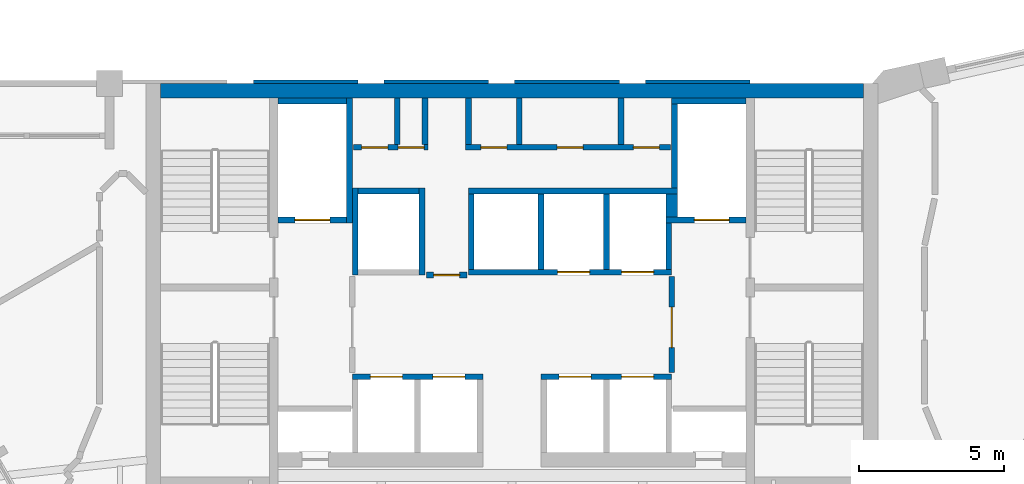
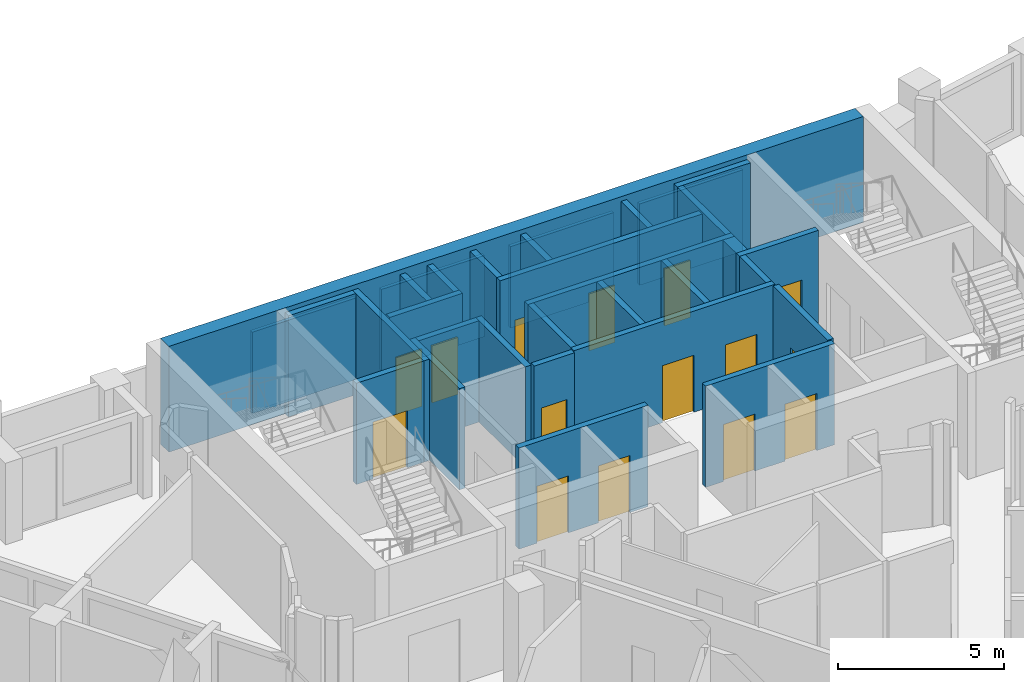
# One storey, part 6 of 9: 32 walls, 15 doors, 15 openings.
"""IFC4 building model written with IfcOpenShell, lengths in metres."""

from ifc_helpers import new_model, si_unit, direction, frame, frame_2d, origin, place, context, subcontext, project, spatial, polyline, rectangle, outline, extrude, material, layer, layer_set, type_object, element, fill, save


model = new_model("IFC4")

# Units and contexts
model_context = context("Model", 3, precision=1e-05, world=origin(), true_north=direction((0.0, 1.0)))
body_context = subcontext(model_context, "Body", "Model", "MODEL_VIEW")
ifc_project = project(units=[si_unit("LENGTHUNIT", "METRE"), si_unit("AREAUNIT", "SQUARE_METRE"), si_unit("VOLUMEUNIT", "CUBIC_METRE"), si_unit("PLANEANGLEUNIT", "RADIAN"), si_unit("MASSUNIT", "GRAM", prefix="KILO")], contexts=[model_context])

# Site, building, storey
site_placement = place(None, origin())
site = spatial("IfcSite", under=ifc_project, at=site_placement, CompositionType="ELEMENT")
building_placement = place(site_placement, origin())
building = spatial("IfcBuilding", under=site, at=building_placement, Name="Calabash Gate Tower", CompositionType="ELEMENT")
storey_placement = place(building_placement, frame((0.0, 0.0, 256.0)))
storey = spatial("IfcBuildingStorey", under=building, at=storey_placement, Name="L61", CompositionType="ELEMENT", Elevation=256.0)

# Walls
ifc_material_1 = material(Name="Gypsum board on steel studs, mineral wool", Category="steel")
ifc_layer_1 = layer(ifc_material_1, 0.199951171875)
ifc_layer_set_1 = layer_set([ifc_layer_1], Name="Core partition 200 gypsum board")
wall_type_1 = type_object("IfcWallType", Name="Core partition 200 gypsum board", PredefinedType="PARTITIONING", material=ifc_layer_set_1)
for number, where, z_axis, x_axis, name in (
    (1, (-3.949951171875, 16.95263671875, 0.0), (0.0, 0.0, 1.0), (0.0, 1.0, 0.0), "Core partition"),
    (2, (-3.0, 16.95263671875, 0.0), (0.0, 0.0, 1.0), (0.0, 1.0, 0.0), "Core partition"),
    (3, (-1.5, 16.95263671875, 0.0), (0.0, 0.0, 1.0), (0.0, 1.0, 0.0), "Core partition"),
    (4, (0.25, 16.95263671875, 0.0), (0.0, 0.0, 1.0), (0.0, 1.0, 0.0), "Core partition"),
    (5, (3.75, 16.95263671875, 0.0), (0.0, 0.0, 1.0), (0.0, 1.0, 0.0), "Core partition"),
):
    element("IfcWall", number, at=place(storey_placement, frame(where, z_axis=z_axis, x_axis=x_axis)), inside=storey, type_object=wall_type_1, Name=name, PredefinedType="PARTITIONING", context=body_context, shape_type="SweptSolid", body=[
        extrude(rectangle(XDim=1.599853515625, YDim=0.199951171875, at=frame_2d((0.7998046875, 0.0))), origin(), (0.0, 0.0, 1.0), 3.72998046875),
    ])
ifc_material_2 = material(Name="Concrete C60/75", Category="concrete")
ifc_layer_2 = layer(ifc_material_2, 0.5)
ifc_layer_set_2 = layer_set([ifc_layer_2], Name="Core wall 500 Concrete C60/75")
wall_type_2 = type_object("IfcWallType", Name="Core wall 500 Concrete C60/75", PredefinedType="SHEAR", material=ifc_layer_set_2)
wall_1_placement = place(storey_placement, frame((-12.10009765625, 18.802490234375, 0.0), z_axis=(0.0, 0.0, 1.0), x_axis=(1.0, 0.0, 0.0)))
element("IfcWall", 6, at=wall_1_placement, inside=storey, type_object=wall_type_2, Name="Core wall Z5-N L61", PredefinedType="SHEAR", context=body_context, shape_type="SweptSolid", body=[
    extrude(rectangle(XDim=24.2001953125, YDim=0.5, at=frame_2d((12.10009765625, 0.0))), origin(), (0.0, 0.0, 1.0), 3.89990234375),
])

# Wall, openings, doors
ifc_material_3 = material(Name="Concrete C40/50", Category="concrete")
ifc_layer_3 = layer(ifc_material_3, 0.199951171875)
ifc_layer_set_3 = layer_set([ifc_layer_3], Name="Shaft wall 200 Concrete C40/50")
wall_type_3 = type_object("IfcWallType", Name="Shaft wall 200 Concrete C40/50", PredefinedType="SOLIDWALL", material=ifc_layer_set_3)
wall_2_placement = place(storey_placement, frame((-5.5, 8.95263671875, 0.0), z_axis=(0.0, 0.0, 1.0), x_axis=(1.0, 0.0, 0.0)))
wall_2 = element("IfcWall", 7, at=wall_2_placement, inside=storey, type_object=wall_type_3, Name="Shaft wall", PredefinedType="SOLIDWALL", context=body_context, shape_type="SweptSolid", body=[
    extrude(rectangle(XDim=4.5, YDim=0.199951171875, at=frame_2d((2.25, 0.0))), origin(), (0.0, 0.0, 1.0), 3.72998046875),
])
opening_1_placement = place(wall_2_placement, frame((0.625, 0.0, 0.0)))
opening_1 = element("IfcOpeningElement", 8, at=opening_1_placement, cuts=wall_2, Name="Opening LD-HR1", PredefinedType="OPENING", context=body_context, shape_type="SweptSolid", body=[
    extrude(rectangle(XDim=1.10009765625, YDim=2.10009765625, at=frame_2d((0.550048828125, 1.050048828125))), frame((0.0, 0.10986328125, 0.0), z_axis=(0.0, -1.0, 0.0), x_axis=(1.0, 0.0, 0.0)), (0.0, 0.0, 1.0), 0.219970703125),
])
opening_2_placement = place(wall_2_placement, frame((2.77490234375, 0.0, 0.0)))
opening_2 = element("IfcOpeningElement", 9, at=opening_2_placement, cuts=wall_2, Name="Opening LD-HR2", PredefinedType="OPENING", context=body_context, shape_type="SweptSolid", body=[
    extrude(rectangle(XDim=1.10009765625, YDim=2.10009765625, at=frame_2d((0.550048828125, 1.050048828125))), frame((0.0, 0.10986328125, 0.0), z_axis=(0.0, -1.0, 0.0), x_axis=(1.0, 0.0, 0.0)), (0.0, 0.0, 1.0), 0.219970703125),
])
ifc_material_4 = material(Name="Stainless steel sliding door leaves", Category="steel")
door_type_1 = type_object("IfcDoorType", Name="Lift landing door LS1 1100x2100 FD90", OperationType="DOUBLE_DOOR_SLIDING", PredefinedType="DOOR", material=ifc_material_4)
door_1_placement = place(opening_1_placement, origin())
door_1 = element("IfcDoor", 10, at=door_1_placement, inside=storey, type_object=door_type_1, Name="Lift landing door HR1", OperationType="DOUBLE_DOOR_SLIDING", OverallHeight=2.10009765625, OverallWidth=1.10009765625, PredefinedType="DOOR", context=body_context, shape_type="SweptSolid", body=[
    extrude(rectangle(XDim=1.10009765625, YDim=2.10009765625, at=frame_2d((0.550048828125, 1.050048828125))), frame((0.0, 0.02490234375, 0.0), z_axis=(0.0, -1.0, 0.0), x_axis=(1.0, 0.0, 0.0)), (0.0, 0.0, 1.0), 0.050048828125),
])
fill(opening_1, door_1)
door_2_placement = place(opening_2_placement, origin())
door_2 = element("IfcDoor", 11, at=door_2_placement, inside=storey, type_object=door_type_1, Name="Lift landing door HR2", OperationType="DOUBLE_DOOR_SLIDING", OverallHeight=2.10009765625, OverallWidth=1.10009765625, PredefinedType="DOOR", context=body_context, shape_type="SweptSolid", body=[
    extrude(rectangle(XDim=1.10009765625, YDim=2.10009765625, at=frame_2d((0.550048828125, 1.050048828125))), frame((0.0, 0.02490234375, 0.0), z_axis=(0.0, -1.0, 0.0), x_axis=(1.0, 0.0, 0.0)), (0.0, 0.0, 1.0), 0.050048828125),
])
fill(opening_2, door_2)

wall_3_placement = place(storey_placement, frame((1.0, 8.95263671875, 0.0), z_axis=(0.0, 0.0, 1.0), x_axis=(1.0, 0.0, 0.0)))
wall_3 = element("IfcWall", 12, at=wall_3_placement, inside=storey, type_object=wall_type_3, Name="Shaft wall", PredefinedType="SOLIDWALL", context=body_context, shape_type="SweptSolid", body=[
    extrude(rectangle(XDim=4.5, YDim=0.199951171875, at=frame_2d((2.25, 0.0))), origin(), (0.0, 0.0, 1.0), 3.72998046875),
])
opening_3_placement = place(wall_3_placement, frame((0.625, 0.0, 0.0)))
opening_3 = element("IfcOpeningElement", 13, at=opening_3_placement, cuts=wall_3, Name="Opening LD-HR3", PredefinedType="OPENING", context=body_context, shape_type="SweptSolid", body=[
    extrude(rectangle(XDim=1.10009765625, YDim=2.10009765625, at=frame_2d((0.550048828125, 1.050048828125))), frame((0.0, 0.10986328125, 0.0), z_axis=(0.0, -1.0, 0.0), x_axis=(1.0, 0.0, 0.0)), (0.0, 0.0, 1.0), 0.219970703125),
])
opening_4_placement = place(wall_3_placement, frame((2.77490234375, 0.0, 0.0)))
opening_4 = element("IfcOpeningElement", 14, at=opening_4_placement, cuts=wall_3, Name="Opening LD-HR4", PredefinedType="OPENING", context=body_context, shape_type="SweptSolid", body=[
    extrude(rectangle(XDim=1.10009765625, YDim=2.10009765625, at=frame_2d((0.550048828125, 1.050048828125))), frame((0.0, 0.10986328125, 0.0), z_axis=(0.0, -1.0, 0.0), x_axis=(1.0, 0.0, 0.0)), (0.0, 0.0, 1.0), 0.219970703125),
])
door_3_placement = place(opening_3_placement, origin())
door_3 = element("IfcDoor", 15, at=door_3_placement, inside=storey, type_object=door_type_1, Name="Lift landing door HR3", OperationType="DOUBLE_DOOR_SLIDING", OverallHeight=2.10009765625, OverallWidth=1.10009765625, PredefinedType="DOOR", context=body_context, shape_type="SweptSolid", body=[
    extrude(rectangle(XDim=1.10009765625, YDim=2.10009765625, at=frame_2d((0.550048828125, 1.050048828125))), frame((0.0, 0.02490234375, 0.0), z_axis=(0.0, -1.0, 0.0), x_axis=(1.0, 0.0, 0.0)), (0.0, 0.0, 1.0), 0.050048828125),
])
fill(opening_3, door_3)
door_4_placement = place(opening_4_placement, origin())
door_4 = element("IfcDoor", 16, at=door_4_placement, inside=storey, type_object=door_type_1, Name="Lift landing door HR4", OperationType="DOUBLE_DOOR_SLIDING", OverallHeight=2.10009765625, OverallWidth=1.10009765625, PredefinedType="DOOR", context=body_context, shape_type="SweptSolid", body=[
    extrude(rectangle(XDim=1.10009765625, YDim=2.10009765625, at=frame_2d((0.550048828125, 1.050048828125))), frame((0.0, 0.02490234375, 0.0), z_axis=(0.0, -1.0, 0.0), x_axis=(1.0, 0.0, 0.0)), (0.0, 0.0, 1.0), 0.050048828125),
])
fill(opening_4, door_4)

# Wall, opening, door
wall_4_placement = place(storey_placement, frame((5.5, 9.1025390625, 0.0), z_axis=(0.0, 0.0, 1.0), x_axis=(0.0, 1.0, 0.0)))
wall_4 = element("IfcWall", 17, at=wall_4_placement, inside=storey, type_object=wall_type_3, Name="Shaft wall", PredefinedType="SOLIDWALL", context=body_context, shape_type="SweptSolid", body=[
    extrude(rectangle(XDim=3.300048828125, YDim=0.199951171875, at=frame_2d((1.64990234375, 0.0))), origin(), (0.0, 0.0, 1.0), 3.72998046875),
])
opening_5_placement = place(wall_4_placement, frame((0.85009765625, 0.0, 0.0)))
opening_5 = element("IfcOpeningElement", 18, at=opening_5_placement, cuts=wall_4, Name="Opening O9-002", PredefinedType="OPENING", context=body_context, shape_type="SweptSolid", body=[
    extrude(rectangle(XDim=1.39990234375, YDim=2.10009765625, at=frame_2d((0.699951171875, 1.050048828125))), frame((0.0, 0.10986328125, 0.0), z_axis=(0.0, -1.0, 0.0), x_axis=(1.0, 0.0, 0.0)), (0.0, 0.0, 1.0), 0.219970703125),
])
ifc_material_5 = material(Name="Steel fire door set with fire-resisting glazing", Category="steel")
door_type_2 = type_object("IfcDoorType", Name="Fire door D05 1400x2100 FD90", OperationType="NOTDEFINED", PredefinedType="DOOR", material=ifc_material_5)
door_5_placement = place(opening_5_placement, origin())
door_5 = element("IfcDoor", 19, at=door_5_placement, inside=storey, type_object=door_type_2, Name="Firefighting Lobby E door", OperationType="SINGLE_SWING_LEFT", OverallHeight=2.10009765625, OverallWidth=1.39990234375, PredefinedType="DOOR", context=body_context, shape_type="SweptSolid", body=[
    extrude(rectangle(XDim=1.39990234375, YDim=2.10009765625, at=frame_2d((0.699951171875, 1.050048828125))), frame((0.0, 0.02490234375, 0.0), z_axis=(0.0, -1.0, 0.0), x_axis=(1.0, 0.0, 0.0)), (0.0, 0.0, 1.0), 0.050048828125),
])
fill(opening_5, door_5)

wall_5_placement = place(storey_placement, frame((-2.949951171875, 12.45263671875, 0.0), z_axis=(0.0, 0.0, 1.0), x_axis=(1.0, 0.0, 0.0)))
wall_5 = element("IfcWall", 20, at=wall_5_placement, inside=storey, type_object=wall_type_3, Name="Shaft wall", PredefinedType="SOLIDWALL", context=body_context, shape_type="SweptSolid", body=[
    extrude(rectangle(XDim=1.39990234375, YDim=0.199951171875, at=frame_2d((0.699951171875, 0.0))), origin(), (0.0, 0.0, 1.0), 3.72998046875),
])
opening_6_placement = place(wall_5_placement, frame((0.25, 0.0, 0.0)))
opening_6 = element("IfcOpeningElement", 21, at=opening_6_placement, cuts=wall_5, Name="Opening O9-001", PredefinedType="OPENING", context=body_context, shape_type="SweptSolid", body=[
    extrude(rectangle(XDim=0.89990234375, YDim=2.10009765625, at=frame_2d((0.449951171875, 1.050048828125))), frame((0.0, 0.10986328125, 0.0), z_axis=(0.0, -1.0, 0.0), x_axis=(1.0, 0.0, 0.0)), (0.0, 0.0, 1.0), 0.219970703125),
])
ifc_material_6 = material(Name="Steel fire door set with fire-resisting glazing", Category="steel")
door_type_3 = type_object("IfcDoorType", Name="Fire door D06 900x2100 FD60", OperationType="NOTDEFINED", PredefinedType="DOOR", material=ifc_material_6)
door_6_placement = place(opening_6_placement, origin())
door_6 = element("IfcDoor", 22, at=door_6_placement, inside=storey, type_object=door_type_3, Name="Service Corridor door", OperationType="SINGLE_SWING_RIGHT", OverallHeight=2.10009765625, OverallWidth=0.89990234375, PredefinedType="DOOR", context=body_context, shape_type="SweptSolid", body=[
    extrude(rectangle(XDim=0.89990234375, YDim=2.10009765625, at=frame_2d((0.449951171875, 1.050048828125))), frame((0.0, 0.02490234375, 0.0), z_axis=(0.0, -1.0, 0.0), x_axis=(1.0, 0.0, 0.0)), (0.0, 0.0, 1.0), 0.050048828125),
])
fill(opening_6, door_6)

# Walls
for number, where, z_axis, x_axis, name in (
    (23, (-5.39990234375, 12.45263671875, 0.0), (0.0, 0.0, 1.0), (0.0, 1.0, 0.0), "Shaft wall"),
    (24, (-3.10009765625, 12.45263671875, 0.0), (0.0, 0.0, 1.0), (0.0, 1.0, 0.0), "Shaft wall"),
):
    element("IfcWall", number, at=place(storey_placement, frame(where, z_axis=z_axis, x_axis=x_axis)), inside=storey, type_object=wall_type_3, Name=name, PredefinedType="SOLIDWALL", context=body_context, shape_type="SweptSolid", body=[
        extrude(rectangle(XDim=3.0, YDim=0.199951171875, at=frame_2d((1.5, 0.0))), origin(), (0.0, 0.0, 1.0), 3.72998046875),
    ])

# Wall, openings, doors
wall_6_placement = place(storey_placement, frame((-1.5, 12.552490234375, 0.0), z_axis=(0.0, 0.0, 1.0), x_axis=(1.0, 0.0, 0.0)))
wall_6 = element("IfcWall", 25, at=wall_6_placement, inside=storey, type_object=wall_type_3, Name="Shaft wall", PredefinedType="SOLIDWALL", context=body_context, shape_type="SweptSolid", body=[
    extrude(rectangle(XDim=7.0, YDim=0.199951171875, at=frame_2d((3.5, 0.0))), origin(), (0.0, 0.0, 1.0), 3.72998046875),
])
opening_7_placement = place(wall_6_placement, frame((3.074951171875, 0.0, 0.0)))
opening_7 = element("IfcOpeningElement", 26, at=opening_7_placement, cuts=wall_6, Name="Opening LD-HR5", PredefinedType="OPENING", context=body_context, shape_type="SweptSolid", body=[
    extrude(rectangle(XDim=1.10009765625, YDim=2.10009765625, at=frame_2d((0.550048828125, 1.050048828125))), frame((0.0, 0.10986328125, 0.0), z_axis=(0.0, -1.0, 0.0), x_axis=(1.0, 0.0, 0.0)), (0.0, 0.0, 1.0), 0.219970703125),
])
opening_8_placement = place(wall_6_placement, frame((5.27490234375, 0.0, 0.0)))
opening_8 = element("IfcOpeningElement", 27, at=opening_8_placement, cuts=wall_6, Name="Opening LD-HR6", PredefinedType="OPENING", context=body_context, shape_type="SweptSolid", body=[
    extrude(rectangle(XDim=1.10009765625, YDim=2.10009765625, at=frame_2d((0.550048828125, 1.050048828125))), frame((0.0, 0.10986328125, 0.0), z_axis=(0.0, -1.0, 0.0), x_axis=(1.0, 0.0, 0.0)), (0.0, 0.0, 1.0), 0.219970703125),
])
door_7_placement = place(opening_7_placement, origin())
door_7 = element("IfcDoor", 28, at=door_7_placement, inside=storey, type_object=door_type_1, Name="Lift landing door HR5", OperationType="DOUBLE_DOOR_SLIDING", OverallHeight=2.10009765625, OverallWidth=1.10009765625, PredefinedType="DOOR", context=body_context, shape_type="SweptSolid", body=[
    extrude(rectangle(XDim=1.10009765625, YDim=2.10009765625, at=frame_2d((0.550048828125, 1.050048828125))), frame((0.0, 0.02490234375, 0.0), z_axis=(0.0, -1.0, 0.0), x_axis=(1.0, 0.0, 0.0)), (0.0, 0.0, 1.0), 0.050048828125),
])
fill(opening_7, door_7)
door_8_placement = place(opening_8_placement, origin())
door_8 = element("IfcDoor", 29, at=door_8_placement, inside=storey, type_object=door_type_1, Name="Lift landing door HR6", OperationType="DOUBLE_DOOR_SLIDING", OverallHeight=2.10009765625, OverallWidth=1.10009765625, PredefinedType="DOOR", context=body_context, shape_type="SweptSolid", body=[
    extrude(rectangle(XDim=1.10009765625, YDim=2.10009765625, at=frame_2d((0.550048828125, 1.050048828125))), frame((0.0, 0.02490234375, 0.0), z_axis=(0.0, -1.0, 0.0), x_axis=(1.0, 0.0, 0.0)), (0.0, 0.0, 1.0), 0.050048828125),
])
fill(opening_8, door_8)

# Walls
for number, where, z_axis, x_axis, name in (
    (30, (-1.39990234375, 12.652587890625, 0.0), (0.0, 0.0, 1.0), (0.0, 1.0, 0.0), "Shaft wall"),
    (31, (1.0, 12.652587890625, 0.0), (0.0, 0.0, 1.0), (0.0, 1.0, 0.0), "Shaft wall"),
    (32, (3.25, 12.652587890625, 0.0), (0.0, 0.0, 1.0), (0.0, 1.0, 0.0), "Shaft wall"),
):
    element("IfcWall", number, at=place(storey_placement, frame(where, z_axis=z_axis, x_axis=x_axis)), inside=storey, type_object=wall_type_3, Name=name, PredefinedType="SOLIDWALL", context=body_context, shape_type="SweptSolid", body=[
        extrude(rectangle(XDim=2.60009765625, YDim=0.199951171875, at=frame_2d((1.300048828125, 0.0))), origin(), (0.0, 0.0, 1.0), 3.72998046875),
    ])
wall_7_placement = place(storey_placement, frame((5.39990234375, 12.652587890625, 0.0), z_axis=(0.0, 0.0, 1.0), x_axis=(0.0, 1.0, 0.0)))
element("IfcWall", 33, at=wall_7_placement, inside=storey, type_object=wall_type_3, Name="Shaft wall", PredefinedType="SOLIDWALL", context=body_context, shape_type="SweptSolid", body=[
    extrude(rectangle(XDim=1.60009765625, YDim=0.199951171875, at=frame_2d((0.800048828125, 0.0))), origin(), (0.0, 0.0, 1.0), 3.72998046875),
])

# Wall, opening, door
wall_8_placement = place(storey_placement, frame((-8.050048828125, 14.3525390625, 0.0), z_axis=(0.0, 0.0, 1.0), x_axis=(1.0, 0.0, 0.0)))
wall_8 = element("IfcWall", 34, at=wall_8_placement, inside=storey, type_object=wall_type_3, Name="Shaft wall", PredefinedType="SOLIDWALL", context=body_context, shape_type="SweptSolid", body=[
    extrude(rectangle(XDim=2.35009765625, YDim=0.199951171875, at=frame_2d((1.175048828125, 0.0))), origin(), (0.0, 0.0, 1.0), 3.72998046875),
])
opening_9_placement = place(wall_8_placement, frame((0.574951171875, 0.0, 0.0)))
opening_9 = element("IfcOpeningElement", 35, at=opening_9_placement, cuts=wall_8, Name="Opening LD-FF1", PredefinedType="OPENING", context=body_context, shape_type="SweptSolid", body=[
    extrude(rectangle(XDim=1.199951171875, YDim=2.10009765625, at=frame_2d((0.60009765625, 1.050048828125))), frame((0.0, 0.10986328125, 0.0), z_axis=(0.0, -1.0, 0.0), x_axis=(1.0, 0.0, 0.0)), (0.0, 0.0, 1.0), 0.219970703125),
])
ifc_material_7 = material(Name="Stainless steel sliding door leaves", Category="steel")
door_type_4 = type_object("IfcDoorType", Name="Lift landing door LS3 1200x2100 FD90", OperationType="DOUBLE_DOOR_SLIDING", PredefinedType="DOOR", material=ifc_material_7)
door_9_placement = place(opening_9_placement, origin())
door_9 = element("IfcDoor", 36, at=door_9_placement, inside=storey, type_object=door_type_4, Name="Lift landing door FF1", OperationType="DOUBLE_DOOR_SLIDING", OverallHeight=2.10009765625, OverallWidth=1.199951171875, PredefinedType="DOOR", context=body_context, shape_type="SweptSolid", body=[
    extrude(rectangle(XDim=1.199951171875, YDim=2.10009765625, at=frame_2d((0.60009765625, 1.050048828125))), frame((0.0, 0.02490234375, 0.0), z_axis=(0.0, -1.0, 0.0), x_axis=(1.0, 0.0, 0.0)), (0.0, 0.0, 1.0), 0.050048828125),
])
fill(opening_9, door_9)

# Wall
wall_9_placement = place(storey_placement, frame((-5.60009765625, 14.252685546875, 0.0), z_axis=(0.0, 0.0, 1.0), x_axis=(0.0, 1.0, 0.0)))
element("IfcWall", 37, at=wall_9_placement, inside=storey, type_object=wall_type_3, Name="Shaft wall", PredefinedType="SOLIDWALL", context=body_context, shape_type="SweptSolid", body=[
    extrude(rectangle(XDim=4.2998046875, YDim=0.199951171875, at=frame_2d((2.14990234375, 0.0))), origin(), (0.0, 0.0, 1.0), 3.72998046875),
])

# Wall, opening, door
wall_10_placement = place(storey_placement, frame((5.300048828125, 14.3525390625, 0.0), z_axis=(0.0, 0.0, 1.0), x_axis=(1.0, 0.0, 0.0)))
wall_10 = element("IfcWall", 38, at=wall_10_placement, inside=storey, type_object=wall_type_3, Name="Shaft wall", PredefinedType="SOLIDWALL", context=body_context, shape_type="SweptSolid", body=[
    extrude(rectangle(XDim=2.75, YDim=0.199951171875, at=frame_2d((1.375, 0.0))), origin(), (0.0, 0.0, 1.0), 3.72998046875),
])
opening_10_placement = place(wall_10_placement, frame((0.97509765625, 0.0, 0.0)))
opening_10 = element("IfcOpeningElement", 39, at=opening_10_placement, cuts=wall_10, Name="Opening LD-FF2", PredefinedType="OPENING", context=body_context, shape_type="SweptSolid", body=[
    extrude(rectangle(XDim=1.199951171875, YDim=2.10009765625, at=frame_2d((0.60009765625, 1.050048828125))), frame((0.0, 0.10986328125, 0.0), z_axis=(0.0, -1.0, 0.0), x_axis=(1.0, 0.0, 0.0)), (0.0, 0.0, 1.0), 0.219970703125),
])
door_10_placement = place(opening_10_placement, origin())
door_10 = element("IfcDoor", 40, at=door_10_placement, inside=storey, type_object=door_type_4, Name="Lift landing door FF2", OperationType="DOUBLE_DOOR_SLIDING", OverallHeight=2.10009765625, OverallWidth=1.199951171875, PredefinedType="DOOR", context=body_context, shape_type="SweptSolid", body=[
    extrude(rectangle(XDim=1.199951171875, YDim=2.10009765625, at=frame_2d((0.60009765625, 1.050048828125))), frame((0.0, 0.02490234375, 0.0), z_axis=(0.0, -1.0, 0.0), x_axis=(1.0, 0.0, 0.0)), (0.0, 0.0, 1.0), 0.050048828125),
])
fill(opening_10, door_10)

# Walls
wall_11_placement = place(storey_placement, frame((5.5, 14.45263671875, 0.0), z_axis=(0.0, 0.0, 1.0), x_axis=(0.0, 1.0, 0.0)))
element("IfcWall", 41, at=wall_11_placement, inside=storey, type_object=wall_type_3, Name="Shaft wall", PredefinedType="SOLIDWALL", context=body_context, shape_type="SweptSolid", body=[
    extrude(rectangle(XDim=0.800048828125, YDim=0.39990234375, at=frame_2d((0.39990234375, 0.0))), origin(), (0.0, 0.0, 1.0), 3.72998046875),
])
wall_12_placement = place(storey_placement, frame((-5.300048828125, 15.3525390625, 0.0), z_axis=(0.0, 0.0, 1.0), x_axis=(1.0, 0.0, 0.0)))
element("IfcWall", 42, at=wall_12_placement, inside=storey, type_object=wall_type_3, Name="Shaft wall", PredefinedType="SOLIDWALL", context=body_context, shape_type="SweptSolid", body=[
    extrude(rectangle(XDim=2.10009765625, YDim=0.199951171875, at=frame_2d((1.050048828125, 0.0))), origin(), (0.0, 0.0, 1.0), 3.72998046875),
])
wall_13_placement = place(storey_placement, frame((-1.5, 15.3525390625, 0.0), z_axis=(0.0, 0.0, 1.0), x_axis=(1.0, 0.0, 0.0)))
element("IfcWall", 43, at=wall_13_placement, inside=storey, type_object=wall_type_3, Name="Shaft wall", PredefinedType="SOLIDWALL", context=body_context, shape_type="SweptSolid", body=[
    extrude(rectangle(XDim=7.199951171875, YDim=0.199951171875, at=frame_2d((3.60009765625, 0.0))), origin(), (0.0, 0.0, 1.0), 3.72998046875),
])
wall_14_placement = place(storey_placement, frame((5.60009765625, 15.45263671875, 0.0), z_axis=(0.0, 0.0, 1.0), x_axis=(0.0, 1.0, 0.0)))
element("IfcWall", 44, at=wall_14_placement, inside=storey, type_object=wall_type_3, Name="Shaft wall", PredefinedType="SOLIDWALL", context=body_context, shape_type="SweptSolid", body=[
    extrude(rectangle(XDim=2.89990234375, YDim=0.199951171875, at=frame_2d((1.449951171875, 0.0))), origin(), (0.0, 0.0, 1.0), 3.72998046875),
])

# Wall, openings, doors
wall_15_placement = place(storey_placement, frame((-5.449951171875, 16.8525390625, 0.0), z_axis=(0.0, 0.0, 1.0), x_axis=(1.0, 0.0, 0.0)))
wall_15 = element("IfcWall", 45, at=wall_15_placement, inside=storey, type_object=wall_type_3, Name="Shaft wall", PredefinedType="SOLIDWALL", context=body_context, shape_type="SweptSolid", body=[
    extrude(rectangle(XDim=2.550048828125, YDim=0.199951171875, at=frame_2d((1.27490234375, 0.0))), origin(), (0.0, 0.0, 1.0), 3.72998046875),
])
opening_11_placement = place(wall_15_placement, frame((0.27490234375, 0.0, 0.0)))
opening_11 = element("IfcOpeningElement", 46, at=opening_11_placement, cuts=wall_15, Name="Opening O9-004", PredefinedType="OPENING", context=body_context, shape_type="SweptSolid", body=[
    extrude(rectangle(XDim=0.89990234375, YDim=2.10009765625, at=frame_2d((0.449951171875, 1.050048828125))), frame((0.0, 0.10986328125, 0.0), z_axis=(0.0, -1.0, 0.0), x_axis=(1.0, 0.0, 0.0)), (0.0, 0.0, 1.0), 0.219970703125),
])
opening_12_placement = place(wall_15_placement, frame((1.52490234375, 0.0, 0.0)))
opening_12 = element("IfcOpeningElement", 47, at=opening_12_placement, cuts=wall_15, Name="Opening O9-005", PredefinedType="OPENING", context=body_context, shape_type="SweptSolid", body=[
    extrude(rectangle(XDim=0.89990234375, YDim=2.10009765625, at=frame_2d((0.449951171875, 1.050048828125))), frame((0.0, 0.10986328125, 0.0), z_axis=(0.0, -1.0, 0.0), x_axis=(1.0, 0.0, 0.0)), (0.0, 0.0, 1.0), 0.219970703125),
])
door_11_placement = place(opening_11_placement, origin())
door_11 = element("IfcDoor", 48, at=door_11_placement, inside=storey, type_object=door_type_3, Name="Accessible WC door", OperationType="SINGLE_SWING_LEFT", OverallHeight=2.10009765625, OverallWidth=0.89990234375, PredefinedType="DOOR", context=body_context, shape_type="SweptSolid", body=[
    extrude(rectangle(XDim=0.89990234375, YDim=2.10009765625, at=frame_2d((0.449951171875, 1.050048828125))), frame((0.0, 0.02490234375, 0.0), z_axis=(0.0, -1.0, 0.0), x_axis=(1.0, 0.0, 0.0)), (0.0, 0.0, 1.0), 0.050048828125),
])
fill(opening_11, door_11)
door_12_placement = place(opening_12_placement, origin())
door_12 = element("IfcDoor", 49, at=door_12_placement, inside=storey, type_object=door_type_3, Name="Print Room door", OperationType="SINGLE_SWING_LEFT", OverallHeight=2.10009765625, OverallWidth=0.89990234375, PredefinedType="DOOR", context=body_context, shape_type="SweptSolid", body=[
    extrude(rectangle(XDim=0.89990234375, YDim=2.10009765625, at=frame_2d((0.449951171875, 1.050048828125))), frame((0.0, 0.02490234375, 0.0), z_axis=(0.0, -1.0, 0.0), x_axis=(1.0, 0.0, 0.0)), (0.0, 0.0, 1.0), 0.050048828125),
])
fill(opening_12, door_12)

wall_16_placement = place(storey_placement, frame((-1.60009765625, 16.8525390625, 0.0), z_axis=(0.0, 0.0, 1.0), x_axis=(1.0, 0.0, 0.0)))
wall_16 = element("IfcWall", 50, at=wall_16_placement, inside=storey, type_object=wall_type_3, Name="Shaft wall", PredefinedType="SOLIDWALL", context=body_context, shape_type="SweptSolid", body=[
    extrude(rectangle(XDim=7.050048828125, YDim=0.199951171875, at=frame_2d((3.52490234375, 0.0))), origin(), (0.0, 0.0, 1.0), 3.72998046875),
])
opening_13_placement = place(wall_16_placement, frame((0.52490234375, 0.0, 0.0)))
opening_13 = element("IfcOpeningElement", 51, at=opening_13_placement, cuts=wall_16, Name="Opening O9-006", PredefinedType="OPENING", context=body_context, shape_type="SweptSolid", body=[
    extrude(rectangle(XDim=0.89990234375, YDim=2.10009765625, at=frame_2d((0.449951171875, 1.050048828125))), frame((0.0, 0.10986328125, 0.0), z_axis=(0.0, -1.0, 0.0), x_axis=(1.0, 0.0, 0.0)), (0.0, 0.0, 1.0), 0.219970703125),
])
opening_14_placement = place(wall_16_placement, frame((3.14990234375, 0.0, 0.0)))
opening_14 = element("IfcOpeningElement", 52, at=opening_14_placement, cuts=wall_16, Name="Opening O9-007", PredefinedType="OPENING", context=body_context, shape_type="SweptSolid", body=[
    extrude(rectangle(XDim=0.89990234375, YDim=2.10009765625, at=frame_2d((0.449951171875, 1.050048828125))), frame((0.0, 0.10986328125, 0.0), z_axis=(0.0, -1.0, 0.0), x_axis=(1.0, 0.0, 0.0)), (0.0, 0.0, 1.0), 0.219970703125),
])
opening_15_placement = place(wall_16_placement, frame((5.77490234375, 0.0, 0.0)))
opening_15 = element("IfcOpeningElement", 53, at=opening_15_placement, cuts=wall_16, Name="Opening O9-008", PredefinedType="OPENING", context=body_context, shape_type="SweptSolid", body=[
    extrude(rectangle(XDim=0.89990234375, YDim=2.10009765625, at=frame_2d((0.449951171875, 1.050048828125))), frame((0.0, 0.10986328125, 0.0), z_axis=(0.0, -1.0, 0.0), x_axis=(1.0, 0.0, 0.0)), (0.0, 0.0, 1.0), 0.219970703125),
])
door_13_placement = place(opening_13_placement, origin())
door_13 = element("IfcDoor", 54, at=door_13_placement, inside=storey, type_object=door_type_3, Name="Meter Room door", OperationType="SINGLE_SWING_LEFT", OverallHeight=2.10009765625, OverallWidth=0.89990234375, PredefinedType="DOOR", context=body_context, shape_type="SweptSolid", body=[
    extrude(rectangle(XDim=0.89990234375, YDim=2.10009765625, at=frame_2d((0.449951171875, 1.050048828125))), frame((0.0, 0.02490234375, 0.0), z_axis=(0.0, -1.0, 0.0), x_axis=(1.0, 0.0, 0.0)), (0.0, 0.0, 1.0), 0.050048828125),
])
fill(opening_13, door_13)
door_14_placement = place(opening_14_placement, origin())
door_14 = element("IfcDoor", 55, at=door_14_placement, inside=storey, type_object=door_type_3, Name="Cleaner's Store door", OperationType="SINGLE_SWING_LEFT", OverallHeight=2.10009765625, OverallWidth=0.89990234375, PredefinedType="DOOR", context=body_context, shape_type="SweptSolid", body=[
    extrude(rectangle(XDim=0.89990234375, YDim=2.10009765625, at=frame_2d((0.449951171875, 1.050048828125))), frame((0.0, 0.02490234375, 0.0), z_axis=(0.0, -1.0, 0.0), x_axis=(1.0, 0.0, 0.0)), (0.0, 0.0, 1.0), 0.050048828125),
])
fill(opening_14, door_14)
door_15_placement = place(opening_15_placement, origin())
door_15 = element("IfcDoor", 56, at=door_15_placement, inside=storey, type_object=door_type_3, Name="Tenant Pantry door", OperationType="SINGLE_SWING_RIGHT", OverallHeight=2.10009765625, OverallWidth=0.89990234375, PredefinedType="DOOR", context=body_context, shape_type="SweptSolid", body=[
    extrude(rectangle(XDim=0.89990234375, YDim=2.10009765625, at=frame_2d((0.449951171875, 1.050048828125))), frame((0.0, 0.02490234375, 0.0), z_axis=(0.0, -1.0, 0.0), x_axis=(1.0, 0.0, 0.0)), (0.0, 0.0, 1.0), 0.050048828125),
])
fill(opening_15, door_15)

# Walls
wall_17_placement = place(storey_placement, frame((-8.050048828125, 18.45263671875, 0.0), z_axis=(0.0, 0.0, 1.0), x_axis=(1.0, 0.0, 0.0)))
element("IfcWall", 57, at=wall_17_placement, inside=storey, type_object=wall_type_3, Name="Shaft wall", PredefinedType="SOLIDWALL", context=body_context, shape_type="SweptSolid", body=[
    extrude(rectangle(XDim=2.35009765625, YDim=0.199951171875, at=frame_2d((1.175048828125, 0.0))), origin(), (0.0, 0.0, 1.0), 3.72998046875),
])
wall_18_placement = place(storey_placement, frame((5.5, 18.45263671875, 0.0), z_axis=(0.0, 0.0, 1.0), x_axis=(1.0, 0.0, 0.0)))
element("IfcWall", 58, at=wall_18_placement, inside=storey, type_object=wall_type_3, Name="Shaft wall", PredefinedType="SOLIDWALL", context=body_context, shape_type="SweptSolid", body=[
    extrude(rectangle(XDim=2.550048828125, YDim=0.199951171875, at=frame_2d((1.27490234375, 0.0))), origin(), (0.0, 0.0, 1.0), 3.72998046875),
])
ifc_material_8 = material(Name="Terracotta brick masonry, perforated", Category="masonry")
ifc_layer_4 = layer(ifc_material_8, 0.1201171875)
ifc_layer_set_4 = layer_set([ifc_layer_4], Name="Terracotta jaali cladding A 120")
wall_type_4 = type_object("IfcWallType", Name="Terracotta jaali cladding A 120", PredefinedType="SOLIDWALL", material=ifc_layer_set_4)
wall_19_placement = place(storey_placement, origin())
element("IfcWall", 59, at=wall_19_placement, inside=storey, type_object=wall_type_4, Name="Jaali cladding S17 N6.1", PredefinedType="SOLIDWALL", context=body_context, shape_type="SweptSolid", body=[
    extrude(outline(polyline([(4.594482421875, 19.172607421875), (4.594482421875, 19.052490234375), (8.194580078125, 19.052490234375), (8.194580078125, 19.172607421875), (4.594482421875, 19.172607421875)])), origin(), (0.0, 0.0, 1.0), 3.0),
])
wall_20_placement = place(storey_placement, origin())
element("IfcWall", 60, at=wall_20_placement, inside=storey, type_object=wall_type_4, Name="Jaali cladding S17 N6.3", PredefinedType="SOLIDWALL", context=body_context, shape_type="SweptSolid", body=[
    extrude(outline(polyline([(-4.405517578125, 19.172607421875), (-4.405517578125, 19.052490234375), (-0.805419921875, 19.052490234375), (-0.805419921875, 19.172607421875), (-4.405517578125, 19.172607421875)])), origin(), (0.0, 0.0, 1.0), 3.0),
])
ifc_material_9 = material(Name="Terracotta louvre blades in an aluminium frame", Category="masonry")
ifc_layer_5 = layer(ifc_material_9, 0.1201171875)
ifc_layer_set_5 = layer_set([ifc_layer_5], Name="Terracotta vent louvre cladding 120")
wall_type_5 = type_object("IfcWallType", Name="Terracotta vent louvre cladding 120", PredefinedType="ELEMENTEDWALL", material=ifc_layer_set_5)
wall_21_placement = place(storey_placement, origin())
element("IfcWall", 61, at=wall_21_placement, inside=storey, type_object=wall_type_5, Name="Vent louvre cladding S17 N6.2", PredefinedType="ELEMENTEDWALL", context=body_context, shape_type="SweptSolid", body=[
    extrude(outline(polyline([(0.094482421875, 19.172607421875), (0.094482421875, 19.052490234375), (3.694580078125, 19.052490234375), (3.694580078125, 19.172607421875), (0.094482421875, 19.172607421875)])), origin(), (0.0, 0.0, 1.0), 3.0),
])
wall_22_placement = place(storey_placement, origin())
element("IfcWall", 62, at=wall_22_placement, inside=storey, type_object=wall_type_5, Name="Vent louvre cladding S17 N6.4", PredefinedType="ELEMENTEDWALL", context=body_context, shape_type="SweptSolid", body=[
    extrude(outline(polyline([(-8.905517578125, 19.172607421875), (-8.905517578125, 19.052490234375), (-5.305419921875, 19.052490234375), (-5.305419921875, 19.172607421875), (-8.905517578125, 19.172607421875)])), origin(), (0.0, 0.0, 1.0), 3.0),
])

save(model, "model.ifc")
